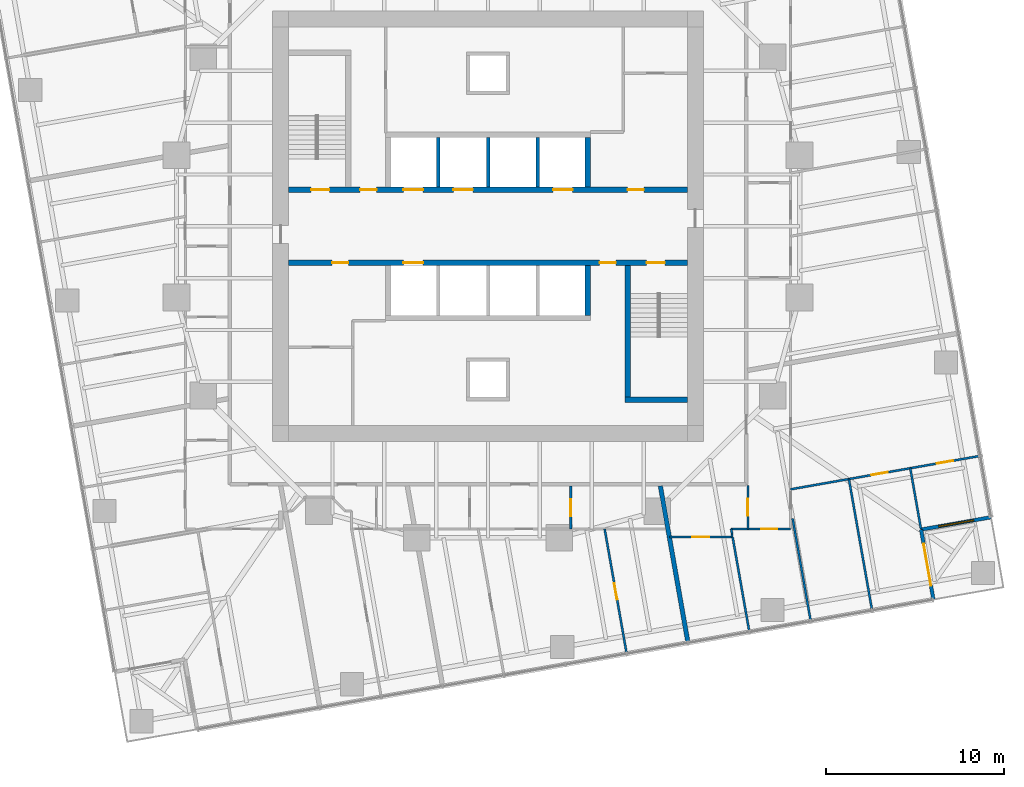
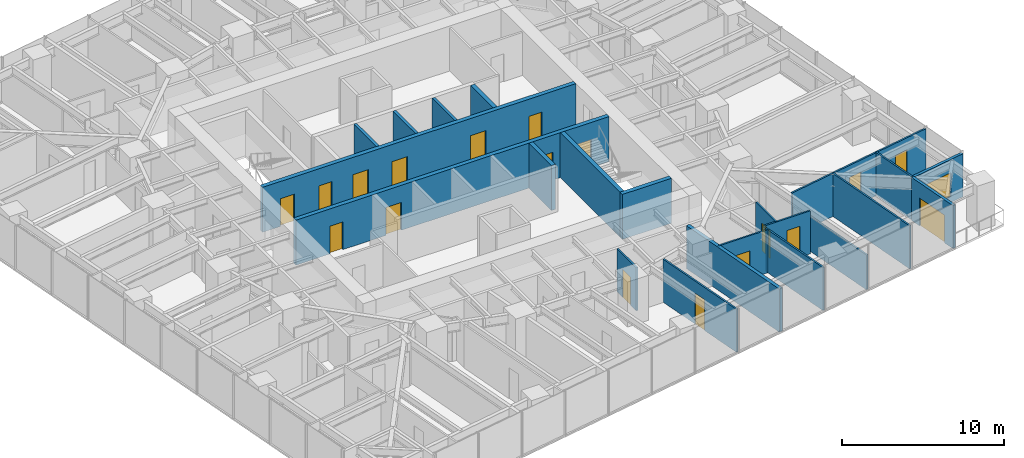
# One storey, part 10 of 14: 24 walls, 18 doors, 1 window, 19 openings.
"""IFC4 building model written with IfcOpenShell, lengths in metres."""

from ifc_helpers import new_model, si_unit, direction, frame, frame_2d, origin, place, context, subcontext, project, spatial, rectangle, extrude, material, layer, layer_set, type_object, element, fill, save


model = new_model("IFC4")

# Units and contexts
model_context = context("Model", 3, precision=1e-05, world=origin(), true_north=direction((0.0, 1.0)))
body_context = subcontext(model_context, "Body", "Model", "MODEL_VIEW")
ifc_project = project(units=[si_unit("LENGTHUNIT", "METRE"), si_unit("AREAUNIT", "SQUARE_METRE"), si_unit("VOLUMEUNIT", "CUBIC_METRE"), si_unit("PLANEANGLEUNIT", "RADIAN"), si_unit("MASSUNIT", "GRAM", prefix="KILO")], contexts=[model_context])

# Site, building, storey
site_placement = place(None, origin())
site = spatial("IfcSite", under=ifc_project, at=site_placement, CompositionType="ELEMENT")
building_placement = place(site_placement, origin())
building = spatial("IfcBuilding", under=site, at=building_placement, Name="Torsade Residences", CompositionType="ELEMENT")
storey_placement = place(building_placement, frame((0.0, 0.0, 82.800048828125)))
storey = spatial("IfcBuildingStorey", under=building, at=storey_placement, Name="L22", CompositionType="ELEMENT", Elevation=82.800048828125)

# Wall, openings, doors
ifc_material_1 = material(Name="Concrete 80 MPa", Category="concrete")
ifc_layer_1 = layer(ifc_material_1, 0.300048828125)
ifc_layer_set_1 = layer_set([ifc_layer_1], Name="Concrete 80 MPa")
wall_type_1 = type_object("IfcWallType", Name="CORE INTERNAL WALL 300", PredefinedType="SHEAR", material=ifc_layer_set_1)
wall_1_placement = place(storey_placement, frame((28.800048828125, 32.050048828125, 0.0), z_axis=(0.0, 0.0, 1.0), x_axis=(1.0, 0.0, 0.0)))
wall_1 = element("IfcWall", 1, at=wall_1_placement, inside=storey, type_object=wall_type_1, Name="Core wall LN L22", PredefinedType="SHEAR", context=body_context, shape_type="SweptSolid", body=[
    extrude(rectangle(XDim=22.39990234375, YDim=0.300048828125, at=frame_2d((11.199951171875, 0.0))), origin(), (0.0, 0.0, 1.0), 3.39990234375),
])
opening_1_placement = place(wall_1_placement, frame((19.0400390625, 0.0, 0.0)))
opening_1 = element("IfcOpeningElement", 2, at=opening_1_placement, cuts=wall_1, Name="Opening D06", PredefinedType="OPENING", context=body_context, shape_type="SweptSolid", body=[
    extrude(rectangle(XDim=0.919921875, YDim=2.10009765625, at=frame_2d((0.4599609375, 1.050048828125))), frame((0.0, 0.159912109375, 0.0), z_axis=(0.0, -1.0, 0.0), x_axis=(1.0, 0.0, 0.0)), (0.0, 0.0, 1.0), 0.320068359375),
])
opening_2_placement = place(wall_1_placement, frame((1.264892578125, 0.0, 0.0)))
opening_2 = element("IfcOpeningElement", 3, at=opening_2_placement, cuts=wall_1, Name="Opening D03", PredefinedType="OPENING", context=body_context, shape_type="SweptSolid", body=[
    extrude(rectangle(XDim=1.02001953125, YDim=2.10009765625, at=frame_2d((0.510009765625, 1.050048828125))), frame((0.0, 0.159912109375, 0.0), z_axis=(0.0, -1.0, 0.0), x_axis=(1.0, 0.0, 0.0)), (0.0, 0.0, 1.0), 0.320068359375),
])
opening_3_placement = place(wall_1_placement, frame((4.014892578125, 0.0, 0.0)))
opening_3 = element("IfcOpeningElement", 4, at=opening_3_placement, cuts=wall_1, Name="Opening D06", PredefinedType="OPENING", context=body_context, shape_type="SweptSolid", body=[
    extrude(rectangle(XDim=0.919921875, YDim=2.10009765625, at=frame_2d((0.4599609375, 1.050048828125))), frame((0.0, 0.159912109375, 0.0), z_axis=(0.0, -1.0, 0.0), x_axis=(1.0, 0.0, 0.0)), (0.0, 0.0, 1.0), 0.320068359375),
])
opening_4_placement = place(wall_1_placement, frame((6.449951171875, 0.0, 0.0)))
opening_4 = element("IfcOpeningElement", 5, at=opening_4_placement, cuts=wall_1, Name="Opening LD", PredefinedType="OPENING", context=body_context, shape_type="SweptSolid", body=[
    extrude(rectangle(XDim=1.10009765625, YDim=2.10009765625, at=frame_2d((0.550048828125, 1.050048828125))), frame((0.0, 0.159912109375, 0.0), z_axis=(0.0, -1.0, 0.0), x_axis=(1.0, 0.0, 0.0)), (0.0, 0.0, 1.0), 0.320068359375),
])
opening_5_placement = place(wall_1_placement, frame((9.25, 0.0, 0.0)))
opening_5 = element("IfcOpeningElement", 6, at=opening_5_placement, cuts=wall_1, Name="Opening LD", PredefinedType="OPENING", context=body_context, shape_type="SweptSolid", body=[
    extrude(rectangle(XDim=1.10009765625, YDim=2.10009765625, at=frame_2d((0.550048828125, 1.050048828125))), frame((0.0, 0.159912109375, 0.0), z_axis=(0.0, -1.0, 0.0), x_axis=(1.0, 0.0, 0.0)), (0.0, 0.0, 1.0), 0.320068359375),
])
opening_6_placement = place(wall_1_placement, frame((14.85009765625, 0.0, 0.0)))
opening_6 = element("IfcOpeningElement", 7, at=opening_6_placement, cuts=wall_1, Name="Opening LD", PredefinedType="OPENING", context=body_context, shape_type="SweptSolid", body=[
    extrude(rectangle(XDim=1.10009765625, YDim=2.10009765625, at=frame_2d((0.550048828125, 1.050048828125))), frame((0.0, 0.159912109375, 0.0), z_axis=(0.0, -1.0, 0.0), x_axis=(1.0, 0.0, 0.0)), (0.0, 0.0, 1.0), 0.320068359375),
])
ifc_material_2 = material(Name="Steel-framed fire door", Category="steel")
door_type_1 = type_object("IfcDoorType", Name="FIRE DOOR 1020", OperationType="NOTDEFINED", PredefinedType="DOOR", material=ifc_material_2)
door_1_placement = place(opening_2_placement, origin())
door_1 = element("IfcDoor", 8, at=door_1_placement, inside=storey, type_object=door_type_1, Name="Exit door to fire-isolated stair ST1 L22", OperationType="SINGLE_SWING_RIGHT", OverallHeight=2.10009765625, OverallWidth=1.02001953125, PredefinedType="DOOR", context=body_context, shape_type="SweptSolid", body=[
    extrude(rectangle(XDim=1.02001953125, YDim=2.10009765625, at=frame_2d((0.510009765625, 1.050048828125))), frame((0.0, 0.02490234375, 0.0), z_axis=(0.0, -1.0, 0.0), x_axis=(1.0, 0.0, 0.0)), (0.0, 0.0, 1.0), 0.050048828125),
])
fill(opening_2, door_1)
ifc_material_3 = material(Name="Steel-framed fire door", Category="steel")
door_type_2 = type_object("IfcDoorType", Name="FIRE DOOR 920", OperationType="NOTDEFINED", PredefinedType="DOOR", material=ifc_material_3)
door_2_placement = place(opening_1_placement, origin())
door_2 = element("IfcDoor", 9, at=door_2_placement, inside=storey, type_object=door_type_2, Name="Door Lift lobby to Refuse room", OperationType="SINGLE_SWING_LEFT", OverallHeight=2.10009765625, OverallWidth=0.919921875, PredefinedType="DOOR", context=body_context, shape_type="SweptSolid", body=[
    extrude(rectangle(XDim=0.919921875, YDim=2.10009765625, at=frame_2d((0.4599609375, 1.050048828125))), frame((0.0, 0.02490234375, 0.0), z_axis=(0.0, -1.0, 0.0), x_axis=(1.0, 0.0, 0.0)), (0.0, 0.0, 1.0), 0.050048828125),
])
fill(opening_1, door_2)
door_3_placement = place(opening_3_placement, origin())
door_3 = element("IfcDoor", 10, at=door_3_placement, inside=storey, type_object=door_type_2, Name="Door Lift lobby to Main switchboard store", OperationType="SINGLE_SWING_LEFT", OverallHeight=2.10009765625, OverallWidth=0.919921875, PredefinedType="DOOR", context=body_context, shape_type="SweptSolid", body=[
    extrude(rectangle(XDim=0.919921875, YDim=2.10009765625, at=frame_2d((0.4599609375, 1.050048828125))), frame((0.0, 0.02490234375, 0.0), z_axis=(0.0, -1.0, 0.0), x_axis=(1.0, 0.0, 0.0)), (0.0, 0.0, 1.0), 0.050048828125),
])
fill(opening_3, door_3)
ifc_material_4 = material(Name="Stainless steel lift landing door", Category="steel")
door_type_3 = type_object("IfcDoorType", Name="LIFT LANDING DOOR 1100", OperationType="SLIDING_TO_LEFT", PredefinedType="DOOR", material=ifc_material_4)
door_4_placement = place(opening_4_placement, origin())
door_4 = element("IfcDoor", 11, at=door_4_placement, inside=storey, type_object=door_type_3, Name="Lift LA1 landing door L22", OperationType="SLIDING_TO_LEFT", OverallHeight=2.10009765625, OverallWidth=1.10009765625, PredefinedType="DOOR", context=body_context, shape_type="SweptSolid", body=[
    extrude(rectangle(XDim=1.10009765625, YDim=2.10009765625, at=frame_2d((0.550048828125, 1.050048828125))), frame((0.0, 0.02490234375, 0.0), z_axis=(0.0, -1.0, 0.0), x_axis=(1.0, 0.0, 0.0)), (0.0, 0.0, 1.0), 0.050048828125),
])
fill(opening_4, door_4)
door_5_placement = place(opening_5_placement, origin())
door_5 = element("IfcDoor", 12, at=door_5_placement, inside=storey, type_object=door_type_3, Name="Lift LA2 landing door L22", OperationType="SLIDING_TO_LEFT", OverallHeight=2.10009765625, OverallWidth=1.10009765625, PredefinedType="DOOR", context=body_context, shape_type="SweptSolid", body=[
    extrude(rectangle(XDim=1.10009765625, YDim=2.10009765625, at=frame_2d((0.550048828125, 1.050048828125))), frame((0.0, 0.02490234375, 0.0), z_axis=(0.0, -1.0, 0.0), x_axis=(1.0, 0.0, 0.0)), (0.0, 0.0, 1.0), 0.050048828125),
])
fill(opening_5, door_5)
door_6_placement = place(opening_6_placement, origin())
door_6 = element("IfcDoor", 13, at=door_6_placement, inside=storey, type_object=door_type_3, Name="Lift FL1 landing door L22", OperationType="SLIDING_TO_LEFT", OverallHeight=2.10009765625, OverallWidth=1.10009765625, PredefinedType="DOOR", context=body_context, shape_type="SweptSolid", body=[
    extrude(rectangle(XDim=1.10009765625, YDim=2.10009765625, at=frame_2d((0.550048828125, 1.050048828125))), frame((0.0, 0.02490234375, 0.0), z_axis=(0.0, -1.0, 0.0), x_axis=(1.0, 0.0, 0.0)), (0.0, 0.0, 1.0), 0.050048828125),
])
fill(opening_6, door_6)

wall_2_placement = place(storey_placement, frame((51.199951171875, 27.949951171875, 0.0), z_axis=(0.0, 0.0, 1.0), x_axis=(-1.0, 0.0, 0.0)))
wall_2 = element("IfcWall", 14, at=wall_2_placement, inside=storey, type_object=wall_type_1, Name="Core wall LS L22", PredefinedType="SHEAR", context=body_context, shape_type="SweptSolid", body=[
    extrude(rectangle(XDim=22.39990234375, YDim=0.300048828125, at=frame_2d((11.199951171875, 0.0))), origin(), (0.0, 0.0, 1.0), 3.39990234375),
])
opening_7_placement = place(wall_2_placement, frame((19.0400390625, 0.0, 0.0)))
opening_7 = element("IfcOpeningElement", 15, at=opening_7_placement, cuts=wall_2, Name="Opening D06", PredefinedType="OPENING", context=body_context, shape_type="SweptSolid", body=[
    extrude(rectangle(XDim=0.919921875, YDim=2.10009765625, at=frame_2d((0.4599609375, 1.050048828125))), frame((0.0, 0.159912109375, 0.0), z_axis=(0.0, -1.0, 0.0), x_axis=(1.0, 0.0, 0.0)), (0.0, 0.0, 1.0), 0.320068359375),
])
opening_8_placement = place(wall_2_placement, frame((1.264892578125, 0.0, 0.0)))
opening_8 = element("IfcOpeningElement", 16, at=opening_8_placement, cuts=wall_2, Name="Opening D03", PredefinedType="OPENING", context=body_context, shape_type="SweptSolid", body=[
    extrude(rectangle(XDim=1.02001953125, YDim=2.10009765625, at=frame_2d((0.510009765625, 1.050048828125))), frame((0.0, 0.159912109375, 0.0), z_axis=(0.0, -1.0, 0.0), x_axis=(1.0, 0.0, 0.0)), (0.0, 0.0, 1.0), 0.320068359375),
])
opening_9_placement = place(wall_2_placement, frame((4.014892578125, 0.0, 0.0)))
opening_9 = element("IfcOpeningElement", 17, at=opening_9_placement, cuts=wall_2, Name="Opening D06", PredefinedType="OPENING", context=body_context, shape_type="SweptSolid", body=[
    extrude(rectangle(XDim=0.919921875, YDim=2.10009765625, at=frame_2d((0.4599609375, 1.050048828125))), frame((0.0, 0.159912109375, 0.0), z_axis=(0.0, -1.0, 0.0), x_axis=(1.0, 0.0, 0.0)), (0.0, 0.0, 1.0), 0.320068359375),
])
opening_10_placement = place(wall_2_placement, frame((14.85009765625, 0.0, 0.0)))
opening_10 = element("IfcOpeningElement", 18, at=opening_10_placement, cuts=wall_2, Name="Opening LD", PredefinedType="OPENING", context=body_context, shape_type="SweptSolid", body=[
    extrude(rectangle(XDim=1.10009765625, YDim=2.10009765625, at=frame_2d((0.550048828125, 1.050048828125))), frame((0.0, 0.159912109375, 0.0), z_axis=(0.0, -1.0, 0.0), x_axis=(1.0, 0.0, 0.0)), (0.0, 0.0, 1.0), 0.320068359375),
])
door_7_placement = place(opening_8_placement, origin())
door_7 = element("IfcDoor", 19, at=door_7_placement, inside=storey, type_object=door_type_1, Name="Exit door to fire-isolated stair ST2 L22", OperationType="SINGLE_SWING_RIGHT", OverallHeight=2.10009765625, OverallWidth=1.02001953125, PredefinedType="DOOR", context=body_context, shape_type="SweptSolid", body=[
    extrude(rectangle(XDim=1.02001953125, YDim=2.10009765625, at=frame_2d((0.510009765625, 1.050048828125))), frame((0.0, 0.02490234375, 0.0), z_axis=(0.0, -1.0, 0.0), x_axis=(1.0, 0.0, 0.0)), (0.0, 0.0, 1.0), 0.050048828125),
])
fill(opening_8, door_7)
door_8_placement = place(opening_7_placement, origin())
door_8 = element("IfcDoor", 20, at=door_8_placement, inside=storey, type_object=door_type_2, Name="Door Lift lobby to Cleaner store", OperationType="SINGLE_SWING_LEFT", OverallHeight=2.10009765625, OverallWidth=0.919921875, PredefinedType="DOOR", context=body_context, shape_type="SweptSolid", body=[
    extrude(rectangle(XDim=0.919921875, YDim=2.10009765625, at=frame_2d((0.4599609375, 1.050048828125))), frame((0.0, 0.02490234375, 0.0), z_axis=(0.0, -1.0, 0.0), x_axis=(1.0, 0.0, 0.0)), (0.0, 0.0, 1.0), 0.050048828125),
])
fill(opening_7, door_8)
door_9_placement = place(opening_9_placement, origin())
door_9 = element("IfcDoor", 21, at=door_9_placement, inside=storey, type_object=door_type_2, Name="Door Lift lobby to Communications riser room", OperationType="SINGLE_SWING_RIGHT", OverallHeight=2.10009765625, OverallWidth=0.919921875, PredefinedType="DOOR", context=body_context, shape_type="SweptSolid", body=[
    extrude(rectangle(XDim=0.919921875, YDim=2.10009765625, at=frame_2d((0.4599609375, 1.050048828125))), frame((0.0, 0.02490234375, 0.0), z_axis=(0.0, -1.0, 0.0), x_axis=(1.0, 0.0, 0.0)), (0.0, 0.0, 1.0), 0.050048828125),
])
fill(opening_9, door_9)
door_10_placement = place(opening_10_placement, origin())
door_10 = element("IfcDoor", 22, at=door_10_placement, inside=storey, type_object=door_type_3, Name="Lift FL2 landing door L22", OperationType="SLIDING_TO_LEFT", OverallHeight=2.10009765625, OverallWidth=1.10009765625, PredefinedType="DOOR", context=body_context, shape_type="SweptSolid", body=[
    extrude(rectangle(XDim=1.10009765625, YDim=2.10009765625, at=frame_2d((0.550048828125, 1.050048828125))), frame((0.0, 0.02490234375, 0.0), z_axis=(0.0, -1.0, 0.0), x_axis=(1.0, 0.0, 0.0)), (0.0, 0.0, 1.0), 0.050048828125),
])
fill(opening_10, door_10)

# Walls
for number, where, z_axis, x_axis, name in (
    (23, (45.60009765625, 27.800048828125, 0.0), (0.0, 0.0, 1.0), (0.0, -1.0, 0.0), "Core wall DS0 L22"),
    (24, (45.60009765625, 32.199951171875, 0.0), (0.0, 0.0, 1.0), (0.0, 1.0, 0.0), "Core wall DN4 L22"),
):
    element("IfcWall", number, at=place(storey_placement, frame(where, z_axis=z_axis, x_axis=x_axis)), inside=storey, type_object=wall_type_1, Name=name, PredefinedType="SHEAR", context=body_context, shape_type="SweptSolid", body=[
        extrude(rectangle(XDim=2.800048828125, YDim=0.300048828125, at=frame_2d((1.39990234375, 0.0))), origin(), (0.0, 0.0, 1.0), 3.39990234375),
    ])
wall_3_placement = place(storey_placement, frame((47.85009765625, 27.800048828125, 0.0), z_axis=(0.0, 0.0, 1.0), x_axis=(0.0, -1.0, 0.0)))
element("IfcWall", 25, at=wall_3_placement, inside=storey, type_object=wall_type_1, Name="Core wall ST2W L22", PredefinedType="SHEAR", context=body_context, shape_type="SweptSolid", body=[
    extrude(rectangle(XDim=7.699951171875, YDim=0.300048828125, at=frame_2d((3.85009765625, 0.0))), origin(), (0.0, 0.0, 1.0), 3.39990234375),
])
wall_4_placement = place(storey_placement, frame((51.199951171875, 20.25, 0.0), z_axis=(0.0, 0.0, 1.0), x_axis=(-1.0, 0.0, 0.0)))
element("IfcWall", 26, at=wall_4_placement, inside=storey, type_object=wall_type_1, Name="Core wall ST2S L22", PredefinedType="SHEAR", context=body_context, shape_type="SweptSolid", body=[
    extrude(rectangle(XDim=3.5, YDim=0.300048828125, at=frame_2d((1.75, 0.0))), origin(), (0.0, 0.0, 1.0), 3.39990234375),
])
ifc_material_5 = material(Name="Reinforced blockwork", Category="masonry")
ifc_layer_2 = layer(ifc_material_5, 0.199951171875)
ifc_layer_set_2 = layer_set([ifc_layer_2], Name="Reinforced blockwork")
wall_type_2 = type_object("IfcWallType", Name="LIFT SHAFT DIVIDING WALL 200", PredefinedType="SOLIDWALL", material=ifc_layer_set_2)
for number, where, z_axis, x_axis, name in (
    (27, (37.199951171875, 32.199951171875, 0.0), (0.0, 0.0, 1.0), (0.0, 1.0, 0.0), "Core wall DN1 L22"),
    (28, (40.0, 32.199951171875, 0.0), (0.0, 0.0, 1.0), (0.0, 1.0, 0.0), "Core wall DN2 L22"),
    (29, (42.800048828125, 32.199951171875, 0.0), (0.0, 0.0, 1.0), (0.0, 1.0, 0.0), "Core wall DN3 L22"),
):
    element("IfcWall", number, at=place(storey_placement, frame(where, z_axis=z_axis, x_axis=x_axis)), inside=storey, type_object=wall_type_2, Name=name, PredefinedType="SOLIDWALL", context=body_context, shape_type="SweptSolid", body=[
        extrude(rectangle(XDim=2.800048828125, YDim=0.199951171875, at=frame_2d((1.39990234375, 0.0))), origin(), (0.0, 0.0, 1.0), 3.39990234375),
    ])

# Wall, opening, door
ifc_material_6 = material(Name="Plasterboard on steel stud", Category="steel")
ifc_layer_3 = layer(ifc_material_6, 0.1201171875)
ifc_layer_set_3 = layer_set([ifc_layer_3], Name="Plasterboard on steel stud")
wall_type_3 = type_object("IfcWallType", Name="PARTITION 120", PredefinedType="PARTITIONING", material=ifc_layer_set_3)
wall_5_placement = place(storey_placement, frame((44.646728515625, 15.39990234375, 0.0), z_axis=(0.0, 0.0, 1.0), x_axis=(0.0, -1.0, 0.0)))
wall_5 = element("IfcWall", 30, at=wall_5_placement, inside=storey, type_object=wall_type_3, Name="Partition L22", PredefinedType="PARTITIONING", context=body_context, shape_type="SweptSolid", body=[
    extrude(rectangle(XDim=2.39990234375, YDim=0.1201171875, at=frame_2d((1.199951171875, 0.0))), origin(), (0.0, 0.0, 1.0), 3.25),
])
opening_11_placement = place(wall_5_placement, frame((0.719970703125, 0.0, 0.0)))
opening_11 = element("IfcOpeningElement", 31, at=opening_11_placement, cuts=wall_5, Name="Opening D05", PredefinedType="OPENING", context=body_context, shape_type="SweptSolid", body=[
    extrude(rectangle(XDim=0.9599609375, YDim=2.10009765625, at=frame_2d((0.47998046875, 1.050048828125))), frame((0.0, 0.070068359375, 0.0), z_axis=(0.0, -1.0, 0.0), x_axis=(1.0, 0.0, 0.0)), (0.0, 0.0, 1.0), 0.14013671875),
])
ifc_material_7 = material(Name="Hollow-core timber door in a steel cavity frame", Category="steel")
door_type_4 = type_object("IfcDoorType", Name="BATHROOM CAVITY SLIDING DOOR 960", OperationType="SLIDING_TO_LEFT", PredefinedType="DOOR", material=ifc_material_7)
door_11_placement = place(opening_11_placement, origin())
door_11 = element("IfcDoor", 32, at=door_11_placement, inside=storey, type_object=door_type_4, Name="Door Kitchen and dining to Bathroom", OperationType="SLIDING_TO_LEFT", OverallHeight=2.10009765625, OverallWidth=0.9599609375, PredefinedType="DOOR", context=body_context, shape_type="SweptSolid", body=[
    extrude(rectangle(XDim=0.9599609375, YDim=2.10009765625, at=frame_2d((0.47998046875, 1.050048828125))), frame((0.0, 0.02490234375, 0.0), z_axis=(0.0, -1.0, 0.0), x_axis=(1.0, 0.0, 0.0)), (0.0, 0.0, 1.0), 0.050048828125),
])
fill(opening_11, door_11)

wall_6_placement = place(storey_placement, frame((46.551513671875, 13.0, 0.0), z_axis=(0.0, 0.0, 1.0), x_axis=(0.173639776761, -0.984809234282, 0.0)))
wall_6 = element("IfcWall", 33, at=wall_6_placement, inside=storey, type_object=wall_type_3, Name="Partition L22", PredefinedType="PARTITIONING", context=body_context, shape_type="SweptSolid", body=[
    extrude(rectangle(XDim=7.080810546875, YDim=0.1201171875, at=frame_2d((3.54052734375, 0.0))), origin(), (0.0, 0.0, 1.0), 3.25),
])
opening_12_placement = place(wall_6_placement, frame((3.100341796875, 0.0, 0.0)))
opening_12 = element("IfcOpeningElement", 34, at=opening_12_placement, cuts=wall_6, Name="Opening D02", PredefinedType="OPENING", context=body_context, shape_type="SweptSolid", body=[
    extrude(rectangle(XDim=0.919921875, YDim=2.340087890625, at=frame_2d((0.4599609375, 1.169921875))), frame((0.0, 0.070068359375, 0.0), z_axis=(0.0, -1.0, 0.0), x_axis=(1.0, 0.0, 0.0)), (0.0, 0.0, 1.0), 0.14013671875),
])
ifc_material_8 = material(Name="Hollow-core timber door", Category="wood")
door_type_5 = type_object("IfcDoorType", Name="INTERNAL DOOR 920x2340", OperationType="NOTDEFINED", PredefinedType="DOOR", material=ifc_material_8)
door_12_placement = place(opening_12_placement, origin())
door_12 = element("IfcDoor", 35, at=door_12_placement, inside=storey, type_object=door_type_5, Name="Door Living room to Bedroom 2", OperationType="SINGLE_SWING_LEFT", OverallHeight=2.340087890625, OverallWidth=0.919921875, PredefinedType="DOOR", context=body_context, shape_type="SweptSolid", body=[
    extrude(rectangle(XDim=0.919921875, YDim=2.340087890625, at=frame_2d((0.4599609375, 1.169921875))), frame((0.0, 0.02490234375, 0.0), z_axis=(0.0, -1.0, 0.0), x_axis=(1.0, 0.0, 0.0)), (0.0, 0.0, 1.0), 0.050048828125),
])
fill(opening_12, door_12)

wall_7_placement = place(storey_placement, frame((54.60009765625, 13.0, 0.0), z_axis=(0.0, 0.0, 1.0), x_axis=(0.0, 1.0, 0.0)))
wall_7 = element("IfcWall", 36, at=wall_7_placement, inside=storey, type_object=wall_type_3, Name="Partition L22", PredefinedType="PARTITIONING", context=body_context, shape_type="SweptSolid", body=[
    extrude(rectangle(XDim=2.449951171875, YDim=0.1201171875, at=frame_2d((1.22509765625, 0.0))), origin(), (0.0, 0.0, 1.0), 3.25),
])
opening_13_placement = place(wall_7_placement, frame((0.7451171875, 0.0, 0.0)))
opening_13 = element("IfcOpeningElement", 37, at=opening_13_placement, cuts=wall_7, Name="Opening D05", PredefinedType="OPENING", context=body_context, shape_type="SweptSolid", body=[
    extrude(rectangle(XDim=0.9599609375, YDim=2.10009765625, at=frame_2d((0.47998046875, 1.050048828125))), frame((0.0, 0.070068359375, 0.0), z_axis=(0.0, -1.0, 0.0), x_axis=(1.0, 0.0, 0.0)), (0.0, 0.0, 1.0), 0.14013671875),
])
door_13_placement = place(opening_13_placement, origin())
door_13 = element("IfcDoor", 38, at=door_13_placement, inside=storey, type_object=door_type_4, Name="Door Kitchen and dining to Bathroom", OperationType="SLIDING_TO_LEFT", OverallHeight=2.10009765625, OverallWidth=0.9599609375, PredefinedType="DOOR", context=body_context, shape_type="SweptSolid", body=[
    extrude(rectangle(XDim=0.9599609375, YDim=2.10009765625, at=frame_2d((0.47998046875, 1.050048828125))), frame((0.0, 0.02490234375, 0.0), z_axis=(0.0, -1.0, 0.0), x_axis=(1.0, 0.0, 0.0)), (0.0, 0.0, 1.0), 0.050048828125),
])
fill(opening_13, door_13)

wall_8_placement = place(storey_placement, frame((57.0, 13.0, 0.0), z_axis=(0.0, 0.0, 1.0), x_axis=(-1.0, 0.0, 0.0)))
wall_8 = element("IfcWall", 39, at=wall_8_placement, inside=storey, type_object=wall_type_3, Name="Partition L22", PredefinedType="PARTITIONING", context=body_context, shape_type="SweptSolid", body=[
    extrude(rectangle(XDim=3.34033203125, YDim=0.1201171875, at=frame_2d((1.670166015625, 0.0))), origin(), (0.0, 0.0, 1.0), 3.25),
])
opening_14_placement = place(wall_8_placement, frame((0.739990234375, 0.0, 0.0)))
opening_14 = element("IfcOpeningElement", 40, at=opening_14_placement, cuts=wall_8, Name="Opening D02", PredefinedType="OPENING", context=body_context, shape_type="SweptSolid", body=[
    extrude(rectangle(XDim=0.919921875, YDim=2.340087890625, at=frame_2d((0.4599609375, 1.169921875))), frame((0.0, 0.070068359375, 0.0), z_axis=(0.0, -1.0, 0.0), x_axis=(1.0, 0.0, 0.0)), (0.0, 0.0, 1.0), 0.14013671875),
])
door_14_placement = place(opening_14_placement, origin())
door_14 = element("IfcDoor", 41, at=door_14_placement, inside=storey, type_object=door_type_5, Name="Door Kitchen and dining to Family room", OperationType="SINGLE_SWING_LEFT", OverallHeight=2.340087890625, OverallWidth=0.919921875, PredefinedType="DOOR", context=body_context, shape_type="SweptSolid", body=[
    extrude(rectangle(XDim=0.919921875, YDim=2.340087890625, at=frame_2d((0.4599609375, 1.169921875))), frame((0.0, 0.02490234375, 0.0), z_axis=(0.0, -1.0, 0.0), x_axis=(1.0, 0.0, 0.0)), (0.0, 0.0, 1.0), 0.050048828125),
])
fill(opening_14, door_14)

wall_9_placement = place(storey_placement, frame((53.710205078125, 12.550048828125, 0.0), z_axis=(0.0, 0.0, 1.0), x_axis=(-1.0, 0.0, 0.0)))
wall_9 = element("IfcWall", 42, at=wall_9_placement, inside=storey, type_object=wall_type_3, Name="Partition L22", PredefinedType="PARTITIONING", context=body_context, shape_type="SweptSolid", body=[
    extrude(rectangle(XDim=3.525390625, YDim=0.1201171875, at=frame_2d((1.7626953125, 0.0))), origin(), (0.0, 0.0, 1.0), 3.25),
])
opening_15_placement = place(wall_9_placement, frame((1.28271484375, 0.0, 0.0)))
opening_15 = element("IfcOpeningElement", 43, at=opening_15_placement, cuts=wall_9, Name="Opening D05", PredefinedType="OPENING", context=body_context, shape_type="SweptSolid", body=[
    extrude(rectangle(XDim=0.9599609375, YDim=2.10009765625, at=frame_2d((0.47998046875, 1.050048828125))), frame((0.0, 0.070068359375, 0.0), z_axis=(0.0, -1.0, 0.0), x_axis=(1.0, 0.0, 0.0)), (0.0, 0.0, 1.0), 0.14013671875),
])
door_15_placement = place(opening_15_placement, origin())
door_15 = element("IfcDoor", 44, at=door_15_placement, inside=storey, type_object=door_type_4, Name="Door Bathroom to Study", OperationType="SLIDING_TO_LEFT", OverallHeight=2.10009765625, OverallWidth=0.9599609375, PredefinedType="DOOR", context=body_context, shape_type="SweptSolid", body=[
    extrude(rectangle(XDim=0.9599609375, YDim=2.10009765625, at=frame_2d((0.47998046875, 1.050048828125))), frame((0.0, 0.02490234375, 0.0), z_axis=(0.0, -1.0, 0.0), x_axis=(1.0, 0.0, 0.0)), (0.0, 0.0, 1.0), 0.050048828125),
])
fill(opening_15, door_15)

# Wall
wall_10_placement = place(storey_placement, frame((53.65966796875, 13.0, 0.0), z_axis=(0.0, 0.0, 1.0), x_axis=(0.172927442902, -0.984934566096, 0.0)))
element("IfcWall", 45, at=wall_10_placement, inside=storey, type_object=wall_type_3, Name="Partition L22", PredefinedType="PARTITIONING", context=body_context, shape_type="SweptSolid", body=[
    extrude(rectangle(XDim=0.292236328125, YDim=0.1201171875, at=frame_2d((0.14599609375, 0.0))), origin(), (0.0, 0.0, 1.0), 3.25),
])

# Wall, openings, doors
wall_11_placement = place(storey_placement, frame((67.61962890625, 17.10009765625, 0.0), z_axis=(0.0, 0.0, 1.0), x_axis=(-0.984807253583, -0.173651010046, 0.0)))
wall_11 = element("IfcWall", 46, at=wall_11_placement, inside=storey, type_object=wall_type_3, Name="Partition L22", PredefinedType="PARTITIONING", context=body_context, shape_type="SweptSolid", body=[
    extrude(rectangle(XDim=10.783447265625, YDim=0.1201171875, at=frame_2d((5.3916015625, 0.0))), origin(), (0.0, 0.0, 1.0), 3.25),
])
opening_16_placement = place(wall_11_placement, frame((1.525146484375, 0.0, 0.0)))
opening_16 = element("IfcOpeningElement", 47, at=opening_16_placement, cuts=wall_11, Name="Opening D02", PredefinedType="OPENING", context=body_context, shape_type="SweptSolid", body=[
    extrude(rectangle(XDim=0.919921875, YDim=2.340087890625, at=frame_2d((0.4599609375, 1.169921875))), frame((0.0, 0.070068359375, 0.0), z_axis=(0.0, -1.0, 0.0), x_axis=(1.0, 0.0, 0.0)), (0.0, 0.0, 1.0), 0.14013671875),
])
opening_17_placement = place(wall_11_placement, frame((5.25, 0.0, 0.0)))
opening_17 = element("IfcOpeningElement", 48, at=opening_17_placement, cuts=wall_11, Name="Opening D02", PredefinedType="OPENING", context=body_context, shape_type="SweptSolid", body=[
    extrude(rectangle(XDim=0.919921875, YDim=2.340087890625, at=frame_2d((0.4599609375, 1.169921875))), frame((0.0, 0.070068359375, 0.0), z_axis=(0.0, -1.0, 0.0), x_axis=(1.0, 0.0, 0.0)), (0.0, 0.0, 1.0), 0.14013671875),
])
door_16_placement = place(opening_16_placement, origin())
door_16 = element("IfcDoor", 49, at=door_16_placement, inside=storey, type_object=door_type_5, Name="Door Living room to Media room", OperationType="SINGLE_SWING_RIGHT", OverallHeight=2.340087890625, OverallWidth=0.919921875, PredefinedType="DOOR", context=body_context, shape_type="SweptSolid", body=[
    extrude(rectangle(XDim=0.919921875, YDim=2.340087890625, at=frame_2d((0.4599609375, 1.169921875))), frame((0.0, 0.02490234375, 0.0), z_axis=(0.0, -1.0, 0.0), x_axis=(1.0, 0.0, 0.0)), (0.0, 0.0, 1.0), 0.050048828125),
])
fill(opening_16, door_16)
door_17_placement = place(opening_17_placement, origin())
door_17 = element("IfcDoor", 50, at=door_17_placement, inside=storey, type_object=door_type_5, Name="Door Living room to Bedroom 1", OperationType="SINGLE_SWING_RIGHT", OverallHeight=2.340087890625, OverallWidth=0.919921875, PredefinedType="DOOR", context=body_context, shape_type="SweptSolid", body=[
    extrude(rectangle(XDim=0.919921875, YDim=2.340087890625, at=frame_2d((0.4599609375, 1.169921875))), frame((0.0, 0.02490234375, 0.0), z_axis=(0.0, -1.0, 0.0), x_axis=(1.0, 0.0, 0.0)), (0.0, 0.0, 1.0), 0.050048828125),
])
fill(opening_17, door_17)

# Walls
wall_12_placement = place(storey_placement, frame((61.568359375, 8.4580078125, 0.0), z_axis=(0.0, 0.0, 1.0), x_axis=(-0.173647177755, 0.984807929323, 0.0)))
element("IfcWall", 51, at=wall_12_placement, inside=storey, type_object=wall_type_3, Name="Partition L22", PredefinedType="PARTITIONING", context=body_context, shape_type="SweptSolid", body=[
    extrude(rectangle(XDim=7.4599609375, YDim=0.1201171875, at=frame_2d((3.72998046875, 0.0))), origin(), (0.0, 0.0, 1.0), 3.25),
])
wall_13_placement = place(storey_placement, frame((63.7197265625, 16.412353515625, 0.0), z_axis=(0.0, 0.0, 1.0), x_axis=(0.173660541335, -0.984805572884, 0.0)))
element("IfcWall", 52, at=wall_13_placement, inside=storey, type_object=wall_type_3, Name="Partition L22", PredefinedType="PARTITIONING", context=body_context, shape_type="SweptSolid", body=[
    extrude(rectangle(XDim=3.459716796875, YDim=0.1201171875, at=frame_2d((1.72998046875, 0.0))), origin(), (0.0, 0.0, 1.0), 3.25),
])
wall_14_placement = place(storey_placement, frame((58.12158203125, 7.850341796875, 0.0), z_axis=(0.0, 0.0, 1.0), x_axis=(-0.173634707655, 0.984810128044, 0.0)))
element("IfcWall", 53, at=wall_14_placement, inside=storey, type_object=wall_type_3, Name="Partition L22", PredefinedType="PARTITIONING", context=body_context, shape_type="SweptSolid", body=[
    extrude(rectangle(XDim=5.8251953125, YDim=0.1201171875, at=frame_2d((2.91259765625, 0.0))), origin(), (0.0, 0.0, 1.0), 2.637939453125),
])
wall_15_placement = place(storey_placement, frame((53.739013671875, 12.550048828125, 0.0), z_axis=(0.0, 0.0, 1.0), x_axis=(0.173632864151, -0.984810453076, 0.0)))
element("IfcWall", 54, at=wall_15_placement, inside=storey, type_object=wall_type_3, Name="Partition L22", PredefinedType="PARTITIONING", context=body_context, shape_type="SweptSolid", body=[
    extrude(rectangle(XDim=5.389404296875, YDim=0.1201171875, at=frame_2d((2.69482421875, 0.0))), origin(), (0.0, 0.0, 1.0), 3.25),
])
wall_16_placement = place(storey_placement, frame((53.710205078125, 12.712158203125, 0.0), z_axis=(0.0, 0.0, 1.0), x_axis=(0.0, -1.0, 0.0)))
element("IfcWall", 55, at=wall_16_placement, inside=storey, type_object=wall_type_3, Name="Partition L22", PredefinedType="PARTITIONING", context=body_context, shape_type="SweptSolid", body=[
    extrude(rectangle(XDim=0.162109375, YDim=0.1201171875, at=frame_2d((0.0810546875, 0.0))), origin(), (0.0, 0.0, 1.0), 3.25),
])
ifc_material_9 = material(Name="Masonry-lined stud party wall", Category="masonry")
ifc_layer_4 = layer(ifc_material_9, 0.25)
ifc_layer_set_4 = layer_set([ifc_layer_4], Name="Masonry-lined stud party wall")
wall_type_4 = type_object("IfcWallType", Name="PARTY WALL 250", PredefinedType="PARTITIONING", material=ifc_layer_set_4)
wall_17_placement = place(storey_placement, frame((51.23486328125, 6.595458984375, 0.0), z_axis=(0.0, 0.0, 1.0), x_axis=(-0.173654738504, 0.984806596137, 0.0)))
element("IfcWall", 56, at=wall_17_placement, inside=storey, type_object=wall_type_4, Name="Party wall L22", PredefinedType="PARTITIONING", context=body_context, shape_type="SweptSolid", body=[
    extrude(rectangle(XDim=8.958251953125, YDim=0.25, at=frame_2d((4.47900390625, 0.0))), origin(), (0.0, 0.0, 1.0), 3.25),
])

# Wall, opening, door
ifc_material_10 = material(Name="Stone-faced precast concrete 40 MPa panel", Category="masonry")
ifc_layer_5 = layer(ifc_material_10, 0.199951171875)
ifc_layer_set_5 = layer_set([ifc_layer_5], Name="Stone-faced precast concrete 40 MPa panel")
wall_type_5 = type_object("IfcWallType", Name="TERRACE WALL 200", PredefinedType="SOLIDWALL", material=ifc_layer_set_5)
wall_18_placement = place(storey_placement, frame((65.022216796875, 9.0263671875, 0.0), z_axis=(0.0, 0.0, 1.0), x_axis=(-0.173646056486, 0.984808127031, 0.0)))
wall_18 = element("IfcWall", 57, at=wall_18_placement, inside=storey, type_object=wall_type_5, Name="Terrace wall L22 2", PredefinedType="SOLIDWALL", context=body_context, shape_type="SweptSolid", body=[
    extrude(rectangle(XDim=4.0, YDim=0.199951171875, at=frame_2d((2.0, 0.0))), origin(), (0.0, 0.0, 1.0), 3.25),
])
opening_18_placement = place(wall_18_placement, frame((0.800048828125, 0.0, 0.0)))
opening_18 = element("IfcOpeningElement", 58, at=opening_18_placement, cuts=wall_18, Name="Opening D10A", PredefinedType="OPENING", context=body_context, shape_type="SweptSolid", body=[
    extrude(rectangle(XDim=2.39990234375, YDim=2.10009765625, at=frame_2d((1.199951171875, 1.050048828125))), frame((0.0, 0.10986328125, 0.0), z_axis=(0.0, -1.0, 0.0), x_axis=(1.0, 0.0, 0.0)), (0.0, 0.0, 1.0), 0.219970703125),
])
ifc_material_11 = material(Name="Aluminium-framed glass door", Category="aluminium")
door_type_6 = type_object("IfcDoorType", Name="TERRACE SLIDING DOOR 2400x2100", OperationType="SLIDING_TO_LEFT", PredefinedType="DOOR", material=ifc_material_11)
door_18_placement = place(opening_18_placement, origin())
door_18 = element("IfcDoor", 59, at=door_18_placement, inside=storey, type_object=door_type_6, Name="Terrace door L22 2", OperationType="SLIDING_TO_LEFT", OverallHeight=2.10009765625, OverallWidth=2.39990234375, PredefinedType="DOOR", context=body_context, shape_type="SweptSolid", body=[
    extrude(rectangle(XDim=2.39990234375, YDim=2.10009765625, at=frame_2d((1.199951171875, 1.050048828125))), frame((0.0, 0.02490234375, 0.0), z_axis=(0.0, -1.0, 0.0), x_axis=(1.0, 0.0, 0.0)), (0.0, 0.0, 1.0), 0.050048828125),
])
fill(opening_18, door_18)

# Wall, opening, window
wall_19_placement = place(storey_placement, frame((64.32763671875, 12.965576171875, 0.0), z_axis=(0.0, 0.0, 1.0), x_axis=(0.984808127031, 0.173646056486, 0.0)))
wall_19 = element("IfcWall", 60, at=wall_19_placement, inside=storey, type_object=wall_type_5, Name="Terrace wall L22 3", PredefinedType="SOLIDWALL", context=body_context, shape_type="SweptSolid", body=[
    extrude(rectangle(XDim=4.0, YDim=0.199951171875, at=frame_2d((2.0, 0.0))), origin(), (0.0, 0.0, 1.0), 3.25),
])
opening_19_placement = place(wall_19_placement, frame((1.0, 0.0, 0.449951171875)))
opening_19 = element("IfcOpeningElement", 61, at=opening_19_placement, cuts=wall_19, Name="Opening W1B", PredefinedType="OPENING", context=body_context, shape_type="SweptSolid", body=[
    extrude(rectangle(XDim=2.0, YDim=1.800048828125, at=frame_2d((1.0, 0.89990234375))), frame((0.0, 0.10986328125, 0.0), z_axis=(0.0, -1.0, 0.0), x_axis=(1.0, 0.0, 0.0)), (0.0, 0.0, 1.0), 0.219970703125),
])
ifc_material_12 = material(Name="Aluminium-framed glass window", Category="aluminium")
window_type = type_object("IfcWindowType", Name="TERRACE WINDOW 2000x1800", PartitioningType="SINGLE_PANEL", PredefinedType="WINDOW", material=ifc_material_12)
window_placement = place(opening_19_placement, origin())
window = element("IfcWindow", 62, at=window_placement, inside=storey, type_object=window_type, Name="Terrace window L22 3", OverallHeight=1.800048828125, OverallWidth=2.0, PartitioningType="SINGLE_PANEL", PredefinedType="WINDOW", context=body_context, shape_type="SweptSolid", body=[
    extrude(rectangle(XDim=2.0, YDim=1.800048828125, at=frame_2d((1.0, 0.89990234375))), frame((0.0, 0.030029296875, 0.0), z_axis=(0.0, -1.0, 0.0), x_axis=(1.0, 0.0, 0.0)), (0.0, 0.0, 1.0), 0.06005859375),
])
fill(opening_19, window)

save(model, "model.ifc")
